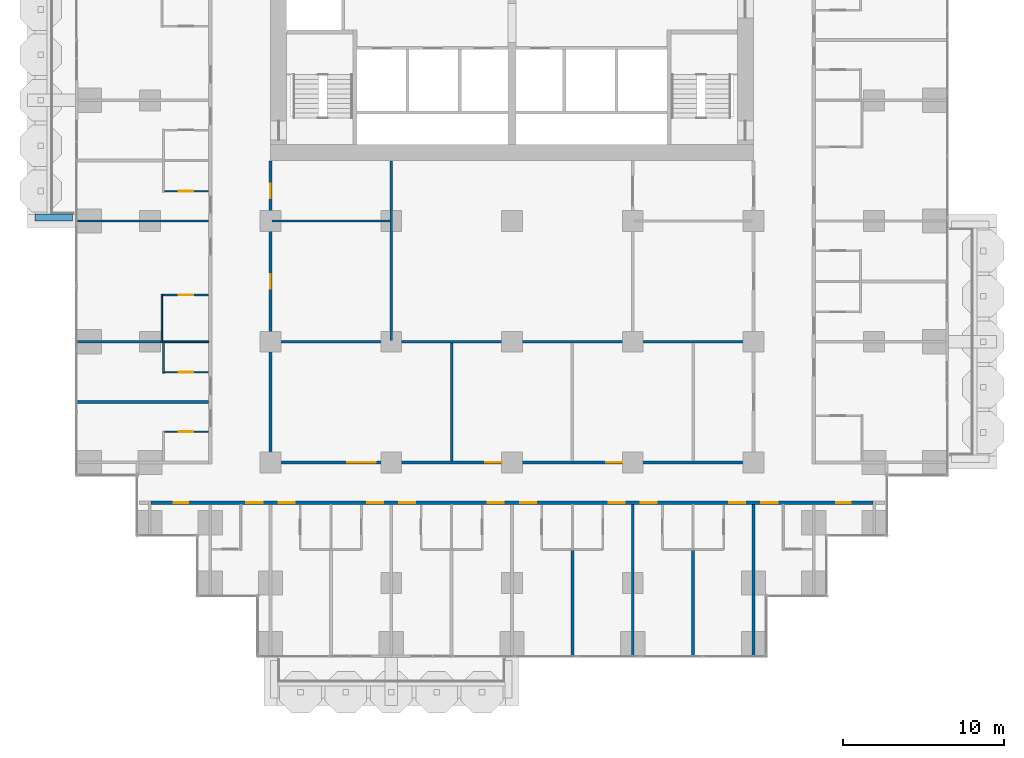
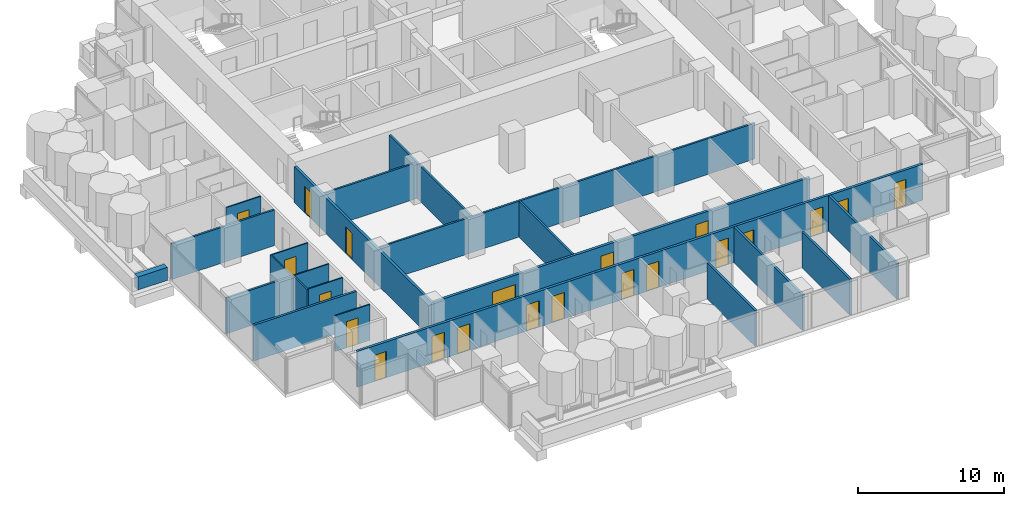
# One storey, part 11 of 19: 22 walls, 21 doors, 21 openings.
"""IFC4 building model written with IfcOpenShell, lengths in metres."""

from ifc_helpers import new_model, si_unit, direction, frame, frame_2d, origin, place, context, subcontext, project, spatial, rectangle, extrude, material, layer, layer_set, type_object, element, fill, save


model = new_model("IFC4")

# Units and contexts
model_context = context("Model", 3, precision=1e-05, world=origin(), true_north=direction((0.0, 1.0)))
body_context = subcontext(model_context, "Body", "Model", "MODEL_VIEW")
ifc_project = project(units=[si_unit("LENGTHUNIT", "METRE"), si_unit("AREAUNIT", "SQUARE_METRE"), si_unit("VOLUMEUNIT", "CUBIC_METRE"), si_unit("PLANEANGLEUNIT", "RADIAN"), si_unit("MASSUNIT", "GRAM", prefix="KILO")], contexts=[model_context])

# Site, building, storey
site_placement = place(None, origin())
site = spatial("IfcSite", under=ifc_project, at=site_placement, CompositionType="ELEMENT")
building_placement = place(site_placement, origin())
building = spatial("IfcBuilding", under=site, at=building_placement, Name="Pilkhan Gate Tower", CompositionType="ELEMENT")
storey_placement = place(building_placement, frame((0.0, 0.0, 69.199951171875)))
storey = spatial("IfcBuildingStorey", under=building, at=storey_placement, Name="L15", CompositionType="ELEMENT", Elevation=69.199951171875)

# Walls
ifc_material_1 = material(Name="Dense blockwork", Category="masonry")
ifc_layer_1 = layer(ifc_material_1, 0.175048828125)
ifc_layer_set_1 = layer_set([ifc_layer_1], Name="Acoustic party wall PW175")
wall_type_1 = type_object("IfcWallType", Name="Acoustic party wall PW175", PredefinedType="PARTITIONING", material=ifc_layer_set_1)
wall_1_placement = place(storey_placement, frame((47.985107421875, 56.25, 0.0), z_axis=(0.0, 0.0, 1.0), x_axis=(1.0, 0.0, 0.0)))
element("IfcWall", 1, at=wall_1_placement, inside=storey, type_object=wall_type_1, Name="Partition L15", PredefinedType="PARTITIONING", context=body_context, shape_type="SweptSolid", body=[
    extrude(rectangle(XDim=8.164794921875, YDim=0.175048828125, at=frame_2d((4.08251953125, 0.0))), origin(), (0.0, 0.0, 1.0), 3.0),
])
wall_2_placement = place(storey_placement, frame((78.75, 40.485107421875, 0.0), z_axis=(0.0, 0.0, 1.0), x_axis=(0.0, 1.0, 0.0)))
element("IfcWall", 2, at=wall_2_placement, inside=storey, type_object=wall_type_1, Name="Partition L15", PredefinedType="PARTITIONING", context=body_context, shape_type="SweptSolid", body=[
    extrude(rectangle(XDim=6.56494140625, YDim=0.175048828125, at=frame_2d((3.282470703125, 0.0))), origin(), (0.0, 0.0, 1.0), 3.0),
])
wall_3_placement = place(storey_placement, frame((82.5, 40.485107421875, 0.0), z_axis=(0.0, 0.0, 1.0), x_axis=(0.0, 1.0, 0.0)))
element("IfcWall", 3, at=wall_3_placement, inside=storey, type_object=wall_type_1, Name="Partition L15", PredefinedType="PARTITIONING", context=body_context, shape_type="SweptSolid", body=[
    extrude(rectangle(XDim=9.414794921875, YDim=0.175048828125, at=frame_2d((4.70751953125, 0.0))), origin(), (0.0, 0.0, 1.0), 3.0),
])
wall_4_placement = place(storey_placement, frame((86.25, 40.485107421875, 0.0), z_axis=(0.0, 0.0, 1.0), x_axis=(0.0, 1.0, 0.0)))
element("IfcWall", 4, at=wall_4_placement, inside=storey, type_object=wall_type_1, Name="Partition L15", PredefinedType="PARTITIONING", context=body_context, shape_type="SweptSolid", body=[
    extrude(rectangle(XDim=6.56494140625, YDim=0.175048828125, at=frame_2d((3.282470703125, 0.0))), origin(), (0.0, 0.0, 1.0), 3.0),
])
wall_5_placement = place(storey_placement, frame((90.0, 40.485107421875, 0.0), z_axis=(0.0, 0.0, 1.0), x_axis=(0.0, 1.0, 0.0)))
element("IfcWall", 5, at=wall_5_placement, inside=storey, type_object=wall_type_1, Name="Partition L15", PredefinedType="PARTITIONING", context=body_context, shape_type="SweptSolid", body=[
    extrude(rectangle(XDim=9.414794921875, YDim=0.175048828125, at=frame_2d((4.70751953125, 0.0))), origin(), (0.0, 0.0, 1.0), 3.0),
])
ifc_material_2 = material(Name="Board-marked Concrete C40/50", Category="concrete")
ifc_layer_2 = layer(ifc_material_2, 0.449951171875)
ifc_layer_set_2 = layer_set([ifc_layer_2], Name="Balcony planter lip BL450")
wall_type_2 = type_object("IfcWallType", Name="Balcony planter lip BL450", PredefinedType="USERDEFINED", material=ifc_layer_set_2)
wall_6_placement = place(storey_placement, frame((47.699951171875, 67.72509765625, 0.0), z_axis=(0.0, 0.0, 1.0), x_axis=(-1.0, 0.0, 0.0)))
element("IfcWall", 6, at=wall_6_placement, inside=storey, type_object=wall_type_2, Name="Balcony planter L15 W", ObjectType="BALCONY PLANTER", PredefinedType="USERDEFINED", context=body_context, shape_type="SweptSolid", body=[
    extrude(rectangle(XDim=2.349853515625, YDim=0.449951171875, at=frame_2d((1.1748046875, 0.0))), origin(), (0.0, 0.0, 1.0), 1.10009765625),
])

# Wall, openings, doors
ifc_layer_3 = layer(ifc_material_1, 0.199951171875)
ifc_layer_set_3 = layer_set([ifc_layer_3], Name="Corridor wall FW200")
wall_type_3 = type_object("IfcWallType", Name="Corridor wall FW200", PredefinedType="PARTITIONING", material=ifc_layer_set_3)
wall_7_placement = place(storey_placement, frame((52.574951171875, 50.0, 0.0), z_axis=(0.0, 0.0, 1.0), x_axis=(1.0, 0.0, 0.0)))
wall_7 = element("IfcWall", 7, at=wall_7_placement, inside=storey, type_object=wall_type_3, Name="Partition L15", PredefinedType="PARTITIONING", context=body_context, shape_type="SweptSolid", body=[
    extrude(rectangle(XDim=44.85009765625, YDim=0.199951171875, at=frame_2d((22.425048828125, 0.0))), origin(), (0.0, 0.0, 1.0), 3.0),
])
opening_1_placement = place(wall_7_placement, frame((5.925048828125, 0.0, 0.0)))
opening_1 = element("IfcOpeningElement", 8, at=opening_1_placement, cuts=wall_7, Name="Opening L15-06", PredefinedType="OPENING", context=body_context, shape_type="SweptSolid", body=[
    extrude(rectangle(XDim=1.0, YDim=2.199951171875, at=frame_2d((0.5, 1.10009765625))), frame((0.0, 0.10986328125, 0.0), z_axis=(0.0, -1.0, 0.0), x_axis=(1.0, 0.0, 0.0)), (0.0, 0.0, 1.0), 0.219970703125),
])
opening_2_placement = place(wall_7_placement, frame((7.925048828125, 0.0, 0.0)))
opening_2 = element("IfcOpeningElement", 9, at=opening_2_placement, cuts=wall_7, Name="Opening L15-08", PredefinedType="OPENING", context=body_context, shape_type="SweptSolid", body=[
    extrude(rectangle(XDim=1.0, YDim=2.199951171875, at=frame_2d((0.5, 1.10009765625))), frame((0.0, 0.10986328125, 0.0), z_axis=(0.0, -1.0, 0.0), x_axis=(1.0, 0.0, 0.0)), (0.0, 0.0, 1.0), 0.219970703125),
])
opening_3_placement = place(wall_7_placement, frame((13.425048828125, 0.0, 0.0)))
opening_3 = element("IfcOpeningElement", 10, at=opening_3_placement, cuts=wall_7, Name="Opening L15-10", PredefinedType="OPENING", context=body_context, shape_type="SweptSolid", body=[
    extrude(rectangle(XDim=1.0, YDim=2.199951171875, at=frame_2d((0.5, 1.10009765625))), frame((0.0, 0.10986328125, 0.0), z_axis=(0.0, -1.0, 0.0), x_axis=(1.0, 0.0, 0.0)), (0.0, 0.0, 1.0), 0.219970703125),
])
opening_4_placement = place(wall_7_placement, frame((15.425048828125, 0.0, 0.0)))
opening_4 = element("IfcOpeningElement", 11, at=opening_4_placement, cuts=wall_7, Name="Opening L15-12", PredefinedType="OPENING", context=body_context, shape_type="SweptSolid", body=[
    extrude(rectangle(XDim=1.0, YDim=2.199951171875, at=frame_2d((0.5, 1.10009765625))), frame((0.0, 0.10986328125, 0.0), z_axis=(0.0, -1.0, 0.0), x_axis=(1.0, 0.0, 0.0)), (0.0, 0.0, 1.0), 0.219970703125),
])
opening_5_placement = place(wall_7_placement, frame((20.925048828125, 0.0, 0.0)))
opening_5 = element("IfcOpeningElement", 12, at=opening_5_placement, cuts=wall_7, Name="Opening L15-14", PredefinedType="OPENING", context=body_context, shape_type="SweptSolid", body=[
    extrude(rectangle(XDim=1.0, YDim=2.199951171875, at=frame_2d((0.5, 1.10009765625))), frame((0.0, 0.10986328125, 0.0), z_axis=(0.0, -1.0, 0.0), x_axis=(1.0, 0.0, 0.0)), (0.0, 0.0, 1.0), 0.219970703125),
])
opening_6_placement = place(wall_7_placement, frame((22.925048828125, 0.0, 0.0)))
opening_6 = element("IfcOpeningElement", 13, at=opening_6_placement, cuts=wall_7, Name="Opening L15-16", PredefinedType="OPENING", context=body_context, shape_type="SweptSolid", body=[
    extrude(rectangle(XDim=1.0, YDim=2.199951171875, at=frame_2d((0.5, 1.10009765625))), frame((0.0, 0.10986328125, 0.0), z_axis=(0.0, -1.0, 0.0), x_axis=(1.0, 0.0, 0.0)), (0.0, 0.0, 1.0), 0.219970703125),
])
opening_7_placement = place(wall_7_placement, frame((28.425048828125, 0.0, 0.0)))
opening_7 = element("IfcOpeningElement", 14, at=opening_7_placement, cuts=wall_7, Name="Opening L15-18", PredefinedType="OPENING", context=body_context, shape_type="SweptSolid", body=[
    extrude(rectangle(XDim=1.0, YDim=2.199951171875, at=frame_2d((0.5, 1.10009765625))), frame((0.0, 0.10986328125, 0.0), z_axis=(0.0, -1.0, 0.0), x_axis=(1.0, 0.0, 0.0)), (0.0, 0.0, 1.0), 0.219970703125),
])
opening_8_placement = place(wall_7_placement, frame((30.425048828125, 0.0, 0.0)))
opening_8 = element("IfcOpeningElement", 15, at=opening_8_placement, cuts=wall_7, Name="Opening L15-20", PredefinedType="OPENING", context=body_context, shape_type="SweptSolid", body=[
    extrude(rectangle(XDim=1.0, YDim=2.199951171875, at=frame_2d((0.5, 1.10009765625))), frame((0.0, 0.10986328125, 0.0), z_axis=(0.0, -1.0, 0.0), x_axis=(1.0, 0.0, 0.0)), (0.0, 0.0, 1.0), 0.219970703125),
])
opening_9_placement = place(wall_7_placement, frame((35.925048828125, 0.0, 0.0)))
opening_9 = element("IfcOpeningElement", 16, at=opening_9_placement, cuts=wall_7, Name="Opening L15-22", PredefinedType="OPENING", context=body_context, shape_type="SweptSolid", body=[
    extrude(rectangle(XDim=1.0, YDim=2.199951171875, at=frame_2d((0.5, 1.10009765625))), frame((0.0, 0.10986328125, 0.0), z_axis=(0.0, -1.0, 0.0), x_axis=(1.0, 0.0, 0.0)), (0.0, 0.0, 1.0), 0.219970703125),
])
opening_10_placement = place(wall_7_placement, frame((37.925048828125, 0.0, 0.0)))
opening_10 = element("IfcOpeningElement", 17, at=opening_10_placement, cuts=wall_7, Name="Opening L15-24", PredefinedType="OPENING", context=body_context, shape_type="SweptSolid", body=[
    extrude(rectangle(XDim=1.0, YDim=2.199951171875, at=frame_2d((0.5, 1.10009765625))), frame((0.0, 0.10986328125, 0.0), z_axis=(0.0, -1.0, 0.0), x_axis=(1.0, 0.0, 0.0)), (0.0, 0.0, 1.0), 0.219970703125),
])
opening_11_placement = place(wall_7_placement, frame((1.39990234375, 0.0, 0.0)))
opening_11 = element("IfcOpeningElement", 18, at=opening_11_placement, cuts=wall_7, Name="Opening L15-56", PredefinedType="OPENING", context=body_context, shape_type="SweptSolid", body=[
    extrude(rectangle(XDim=0.89990234375, YDim=2.199951171875, at=frame_2d((0.449951171875, 1.10009765625))), frame((0.0, 0.10986328125, 0.0), z_axis=(0.0, -1.0, 0.0), x_axis=(1.0, 0.0, 0.0)), (0.0, 0.0, 1.0), 0.219970703125),
])
opening_12_placement = place(wall_7_placement, frame((42.574951171875, 0.0, 0.0)))
opening_12 = element("IfcOpeningElement", 19, at=opening_12_placement, cuts=wall_7, Name="Opening L15-57", PredefinedType="OPENING", context=body_context, shape_type="SweptSolid", body=[
    extrude(rectangle(XDim=0.89990234375, YDim=2.199951171875, at=frame_2d((0.449951171875, 1.10009765625))), frame((0.0, 0.10986328125, 0.0), z_axis=(0.0, -1.0, 0.0), x_axis=(1.0, 0.0, 0.0)), (0.0, 0.0, 1.0), 0.219970703125),
])
ifc_material_3 = material(Name="Timber flush door, 30 minute fire resisting", Category="wood")
door_type_1 = type_object("IfcDoorType", Name="Guest room door D01 1000x2200", OperationType="SINGLE_SWING_LEFT", PredefinedType="DOOR", material=ifc_material_3)
door_1_placement = place(opening_1_placement, origin())
door_1 = element("IfcDoor", 20, at=door_1_placement, inside=storey, type_object=door_type_1, Name="Guest room door", OperationType="SINGLE_SWING_LEFT", OverallHeight=2.199951171875, OverallWidth=1.0, PredefinedType="DOOR", context=body_context, shape_type="SweptSolid", body=[
    extrude(rectangle(XDim=1.0, YDim=2.199951171875, at=frame_2d((0.5, 1.10009765625))), frame((0.0, 0.02490234375, 0.0), z_axis=(0.0, -1.0, 0.0), x_axis=(1.0, 0.0, 0.0)), (0.0, 0.0, 1.0), 0.050048828125),
])
fill(opening_1, door_1)
door_2_placement = place(opening_2_placement, origin())
door_2 = element("IfcDoor", 21, at=door_2_placement, inside=storey, type_object=door_type_1, Name="Guest room door", OperationType="SINGLE_SWING_RIGHT", OverallHeight=2.199951171875, OverallWidth=1.0, PredefinedType="DOOR", context=body_context, shape_type="SweptSolid", body=[
    extrude(rectangle(XDim=1.0, YDim=2.199951171875, at=frame_2d((0.5, 1.10009765625))), frame((0.0, 0.02490234375, 0.0), z_axis=(0.0, -1.0, 0.0), x_axis=(1.0, 0.0, 0.0)), (0.0, 0.0, 1.0), 0.050048828125),
])
fill(opening_2, door_2)
door_3_placement = place(opening_3_placement, origin())
door_3 = element("IfcDoor", 22, at=door_3_placement, inside=storey, type_object=door_type_1, Name="Guest room door", OperationType="SINGLE_SWING_LEFT", OverallHeight=2.199951171875, OverallWidth=1.0, PredefinedType="DOOR", context=body_context, shape_type="SweptSolid", body=[
    extrude(rectangle(XDim=1.0, YDim=2.199951171875, at=frame_2d((0.5, 1.10009765625))), frame((0.0, 0.02490234375, 0.0), z_axis=(0.0, -1.0, 0.0), x_axis=(1.0, 0.0, 0.0)), (0.0, 0.0, 1.0), 0.050048828125),
])
fill(opening_3, door_3)
door_4_placement = place(opening_4_placement, origin())
door_4 = element("IfcDoor", 23, at=door_4_placement, inside=storey, type_object=door_type_1, Name="Guest room door", OperationType="SINGLE_SWING_LEFT", OverallHeight=2.199951171875, OverallWidth=1.0, PredefinedType="DOOR", context=body_context, shape_type="SweptSolid", body=[
    extrude(rectangle(XDim=1.0, YDim=2.199951171875, at=frame_2d((0.5, 1.10009765625))), frame((0.0, 0.02490234375, 0.0), z_axis=(0.0, -1.0, 0.0), x_axis=(1.0, 0.0, 0.0)), (0.0, 0.0, 1.0), 0.050048828125),
])
fill(opening_4, door_4)
door_5_placement = place(opening_5_placement, origin())
door_5 = element("IfcDoor", 24, at=door_5_placement, inside=storey, type_object=door_type_1, Name="Guest room door", OperationType="SINGLE_SWING_LEFT", OverallHeight=2.199951171875, OverallWidth=1.0, PredefinedType="DOOR", context=body_context, shape_type="SweptSolid", body=[
    extrude(rectangle(XDim=1.0, YDim=2.199951171875, at=frame_2d((0.5, 1.10009765625))), frame((0.0, 0.02490234375, 0.0), z_axis=(0.0, -1.0, 0.0), x_axis=(1.0, 0.0, 0.0)), (0.0, 0.0, 1.0), 0.050048828125),
])
fill(opening_5, door_5)
door_6_placement = place(opening_6_placement, origin())
door_6 = element("IfcDoor", 25, at=door_6_placement, inside=storey, type_object=door_type_1, Name="Guest room door", OperationType="SINGLE_SWING_RIGHT", OverallHeight=2.199951171875, OverallWidth=1.0, PredefinedType="DOOR", context=body_context, shape_type="SweptSolid", body=[
    extrude(rectangle(XDim=1.0, YDim=2.199951171875, at=frame_2d((0.5, 1.10009765625))), frame((0.0, 0.02490234375, 0.0), z_axis=(0.0, -1.0, 0.0), x_axis=(1.0, 0.0, 0.0)), (0.0, 0.0, 1.0), 0.050048828125),
])
fill(opening_6, door_6)
door_7_placement = place(opening_7_placement, origin())
door_7 = element("IfcDoor", 26, at=door_7_placement, inside=storey, type_object=door_type_1, Name="Guest room door", OperationType="SINGLE_SWING_RIGHT", OverallHeight=2.199951171875, OverallWidth=1.0, PredefinedType="DOOR", context=body_context, shape_type="SweptSolid", body=[
    extrude(rectangle(XDim=1.0, YDim=2.199951171875, at=frame_2d((0.5, 1.10009765625))), frame((0.0, 0.02490234375, 0.0), z_axis=(0.0, -1.0, 0.0), x_axis=(1.0, 0.0, 0.0)), (0.0, 0.0, 1.0), 0.050048828125),
])
fill(opening_7, door_7)
door_8_placement = place(opening_8_placement, origin())
door_8 = element("IfcDoor", 27, at=door_8_placement, inside=storey, type_object=door_type_1, Name="Guest room door", OperationType="SINGLE_SWING_RIGHT", OverallHeight=2.199951171875, OverallWidth=1.0, PredefinedType="DOOR", context=body_context, shape_type="SweptSolid", body=[
    extrude(rectangle(XDim=1.0, YDim=2.199951171875, at=frame_2d((0.5, 1.10009765625))), frame((0.0, 0.02490234375, 0.0), z_axis=(0.0, -1.0, 0.0), x_axis=(1.0, 0.0, 0.0)), (0.0, 0.0, 1.0), 0.050048828125),
])
fill(opening_8, door_8)
door_9_placement = place(opening_9_placement, origin())
door_9 = element("IfcDoor", 28, at=door_9_placement, inside=storey, type_object=door_type_1, Name="Guest room door", OperationType="SINGLE_SWING_LEFT", OverallHeight=2.199951171875, OverallWidth=1.0, PredefinedType="DOOR", context=body_context, shape_type="SweptSolid", body=[
    extrude(rectangle(XDim=1.0, YDim=2.199951171875, at=frame_2d((0.5, 1.10009765625))), frame((0.0, 0.02490234375, 0.0), z_axis=(0.0, -1.0, 0.0), x_axis=(1.0, 0.0, 0.0)), (0.0, 0.0, 1.0), 0.050048828125),
])
fill(opening_9, door_9)
door_10_placement = place(opening_10_placement, origin())
door_10 = element("IfcDoor", 29, at=door_10_placement, inside=storey, type_object=door_type_1, Name="Guest room door", OperationType="SINGLE_SWING_LEFT", OverallHeight=2.199951171875, OverallWidth=1.0, PredefinedType="DOOR", context=body_context, shape_type="SweptSolid", body=[
    extrude(rectangle(XDim=1.0, YDim=2.199951171875, at=frame_2d((0.5, 1.10009765625))), frame((0.0, 0.02490234375, 0.0), z_axis=(0.0, -1.0, 0.0), x_axis=(1.0, 0.0, 0.0)), (0.0, 0.0, 1.0), 0.050048828125),
])
fill(opening_10, door_10)
ifc_material_4 = material(Name="Timber flush door, 60 minute fire resisting, self-closing", Category="wood")
door_type_2 = type_object("IfcDoorType", Name="Store door D05 900x2200", OperationType="SINGLE_SWING_LEFT", PredefinedType="DOOR", material=ifc_material_4)
door_11_placement = place(opening_11_placement, origin())
door_11 = element("IfcDoor", 30, at=door_11_placement, inside=storey, type_object=door_type_2, Name="Store door", OperationType="SINGLE_SWING_LEFT", OverallHeight=2.199951171875, OverallWidth=0.89990234375, PredefinedType="DOOR", context=body_context, shape_type="SweptSolid", body=[
    extrude(rectangle(XDim=0.89990234375, YDim=2.199951171875, at=frame_2d((0.449951171875, 1.10009765625))), frame((0.0, 0.02490234375, 0.0), z_axis=(0.0, -1.0, 0.0), x_axis=(1.0, 0.0, 0.0)), (0.0, 0.0, 1.0), 0.050048828125),
])
fill(opening_11, door_11)
door_12_placement = place(opening_12_placement, origin())
door_12 = element("IfcDoor", 31, at=door_12_placement, inside=storey, type_object=door_type_2, Name="Store door", OperationType="SINGLE_SWING_LEFT", OverallHeight=2.199951171875, OverallWidth=0.89990234375, PredefinedType="DOOR", context=body_context, shape_type="SweptSolid", body=[
    extrude(rectangle(XDim=0.89990234375, YDim=2.199951171875, at=frame_2d((0.449951171875, 1.10009765625))), frame((0.0, 0.02490234375, 0.0), z_axis=(0.0, -1.0, 0.0), x_axis=(1.0, 0.0, 0.0)), (0.0, 0.0, 1.0), 0.050048828125),
])
fill(opening_12, door_12)

wall_8_placement = place(storey_placement, frame((60.10009765625, 52.5, 0.0), z_axis=(0.0, 0.0, 1.0), x_axis=(1.0, 0.0, 0.0)))
wall_8 = element("IfcWall", 32, at=wall_8_placement, inside=storey, type_object=wall_type_3, Name="Partition L15", PredefinedType="PARTITIONING", context=body_context, shape_type="SweptSolid", body=[
    extrude(rectangle(XDim=29.7998046875, YDim=0.199951171875, at=frame_2d((14.89990234375, 0.0))), origin(), (0.0, 0.0, 1.0), 3.0),
])
opening_13_placement = place(wall_8_placement, frame((4.64990234375, 0.0, 0.0)))
opening_13 = element("IfcOpeningElement", 33, at=opening_13_placement, cuts=wall_8, Name="Opening L15-62", PredefinedType="OPENING", context=body_context, shape_type="SweptSolid", body=[
    extrude(rectangle(XDim=1.800048828125, YDim=2.199951171875, at=frame_2d((0.89990234375, 1.10009765625))), frame((0.0, 0.10986328125, 0.0), z_axis=(0.0, -1.0, 0.0), x_axis=(1.0, 0.0, 0.0)), (0.0, 0.0, 1.0), 0.219970703125),
])
opening_14_placement = place(wall_8_placement, frame((13.25, 0.0, 0.0)))
opening_14 = element("IfcOpeningElement", 34, at=opening_14_placement, cuts=wall_8, Name="Opening L15-63", PredefinedType="OPENING", context=body_context, shape_type="SweptSolid", body=[
    extrude(rectangle(XDim=1.0, YDim=2.199951171875, at=frame_2d((0.5, 1.10009765625))), frame((0.0, 0.10986328125, 0.0), z_axis=(0.0, -1.0, 0.0), x_axis=(1.0, 0.0, 0.0)), (0.0, 0.0, 1.0), 0.219970703125),
])
opening_15_placement = place(wall_8_placement, frame((20.75, 0.0, 0.0)))
opening_15 = element("IfcOpeningElement", 35, at=opening_15_placement, cuts=wall_8, Name="Opening L15-64", PredefinedType="OPENING", context=body_context, shape_type="SweptSolid", body=[
    extrude(rectangle(XDim=1.0, YDim=2.199951171875, at=frame_2d((0.5, 1.10009765625))), frame((0.0, 0.10986328125, 0.0), z_axis=(0.0, -1.0, 0.0), x_axis=(1.0, 0.0, 0.0)), (0.0, 0.0, 1.0), 0.219970703125),
])
ifc_material_5 = material(Name="Timber glazed double door, 30 minute fire resisting", Category="wood")
door_type_3 = type_object("IfcDoorType", Name="Double door D04 1800x2200", OperationType="DOUBLE_DOOR_SINGLE_SWING", PredefinedType="DOOR", material=ifc_material_5)
door_13_placement = place(opening_13_placement, origin())
door_13 = element("IfcDoor", 36, at=door_13_placement, inside=storey, type_object=door_type_3, Name="Double door", OperationType="DOUBLE_DOOR_SINGLE_SWING", OverallHeight=2.199951171875, OverallWidth=1.800048828125, PredefinedType="DOOR", context=body_context, shape_type="SweptSolid", body=[
    extrude(rectangle(XDim=1.800048828125, YDim=2.199951171875, at=frame_2d((0.89990234375, 1.10009765625))), frame((0.0, 0.02490234375, 0.0), z_axis=(0.0, -1.0, 0.0), x_axis=(1.0, 0.0, 0.0)), (0.0, 0.0, 1.0), 0.050048828125),
])
fill(opening_13, door_13)
door_type_4 = type_object("IfcDoorType", Name="Room door D03 1000x2200", OperationType="SINGLE_SWING_LEFT", PredefinedType="DOOR", material=ifc_material_3)
door_14_placement = place(opening_14_placement, origin())
door_14 = element("IfcDoor", 37, at=door_14_placement, inside=storey, type_object=door_type_4, Name="Room door", OperationType="SINGLE_SWING_LEFT", OverallHeight=2.199951171875, OverallWidth=1.0, PredefinedType="DOOR", context=body_context, shape_type="SweptSolid", body=[
    extrude(rectangle(XDim=1.0, YDim=2.199951171875, at=frame_2d((0.5, 1.10009765625))), frame((0.0, 0.02490234375, 0.0), z_axis=(0.0, -1.0, 0.0), x_axis=(1.0, 0.0, 0.0)), (0.0, 0.0, 1.0), 0.050048828125),
])
fill(opening_14, door_14)
door_15_placement = place(opening_15_placement, origin())
door_15 = element("IfcDoor", 38, at=door_15_placement, inside=storey, type_object=door_type_4, Name="Room door", OperationType="SINGLE_SWING_LEFT", OverallHeight=2.199951171875, OverallWidth=1.0, PredefinedType="DOOR", context=body_context, shape_type="SweptSolid", body=[
    extrude(rectangle(XDim=1.0, YDim=2.199951171875, at=frame_2d((0.5, 1.10009765625))), frame((0.0, 0.02490234375, 0.0), z_axis=(0.0, -1.0, 0.0), x_axis=(1.0, 0.0, 0.0)), (0.0, 0.0, 1.0), 0.050048828125),
])
fill(opening_15, door_15)

wall_9_placement = place(storey_placement, frame((60.0, 52.39990234375, 0.0), z_axis=(0.0, 0.0, 1.0), x_axis=(0.0, 1.0, 0.0)))
wall_9 = element("IfcWall", 39, at=wall_9_placement, inside=storey, type_object=wall_type_3, Name="Partition L15", PredefinedType="PARTITIONING", context=body_context, shape_type="SweptSolid", body=[
    extrude(rectangle(XDim=18.840087890625, YDim=0.199951171875, at=frame_2d((9.419921875, 0.0))), origin(), (0.0, 0.0, 1.0), 3.0),
])
opening_16_placement = place(wall_9_placement, frame((10.89990234375, 0.0, 0.0)))
opening_16 = element("IfcOpeningElement", 40, at=opening_16_placement, cuts=wall_9, Name="Opening L15-66", PredefinedType="OPENING", context=body_context, shape_type="SweptSolid", body=[
    extrude(rectangle(XDim=0.89990234375, YDim=2.199951171875, at=frame_2d((0.449951171875, 1.10009765625))), frame((0.0, 0.10986328125, 0.0), z_axis=(0.0, -1.0, 0.0), x_axis=(1.0, 0.0, 0.0)), (0.0, 0.0, 1.0), 0.219970703125),
])
opening_17_placement = place(wall_9_placement, frame((16.5, 0.0, 0.0)))
opening_17 = element("IfcOpeningElement", 41, at=opening_17_placement, cuts=wall_9, Name="Opening L15-67", PredefinedType="OPENING", context=body_context, shape_type="SweptSolid", body=[
    extrude(rectangle(XDim=0.89990234375, YDim=2.199951171875, at=frame_2d((0.449951171875, 1.10009765625))), frame((0.0, 0.10986328125, 0.0), z_axis=(0.0, -1.0, 0.0), x_axis=(1.0, 0.0, 0.0)), (0.0, 0.0, 1.0), 0.219970703125),
])
door_16_placement = place(opening_16_placement, origin())
door_16 = element("IfcDoor", 42, at=door_16_placement, inside=storey, type_object=door_type_2, Name="Store door", OperationType="SINGLE_SWING_LEFT", OverallHeight=2.199951171875, OverallWidth=0.89990234375, PredefinedType="DOOR", context=body_context, shape_type="SweptSolid", body=[
    extrude(rectangle(XDim=0.89990234375, YDim=2.199951171875, at=frame_2d((0.449951171875, 1.10009765625))), frame((0.0, 0.02490234375, 0.0), z_axis=(0.0, -1.0, 0.0), x_axis=(1.0, 0.0, 0.0)), (0.0, 0.0, 1.0), 0.050048828125),
])
fill(opening_16, door_16)
door_17_placement = place(opening_17_placement, origin())
door_17 = element("IfcDoor", 43, at=door_17_placement, inside=storey, type_object=door_type_2, Name="Store door", OperationType="SINGLE_SWING_RIGHT", OverallHeight=2.199951171875, OverallWidth=0.89990234375, PredefinedType="DOOR", context=body_context, shape_type="SweptSolid", body=[
    extrude(rectangle(XDim=0.89990234375, YDim=2.199951171875, at=frame_2d((0.449951171875, 1.10009765625))), frame((0.0, 0.02490234375, 0.0), z_axis=(0.0, -1.0, 0.0), x_axis=(1.0, 0.0, 0.0)), (0.0, 0.0, 1.0), 0.050048828125),
])
fill(opening_17, door_17)

# Walls
ifc_material_6 = material(Name="Blockwork partition, plastered both sides", Category="masonry")
ifc_layer_4 = layer(ifc_material_6, 0.14990234375)
ifc_layer_set_4 = layer_set([ifc_layer_4], Name="Partition PW150")
wall_type_4 = type_object("IfcWallType", Name="Partition PW150", PredefinedType="PARTITIONING", material=ifc_layer_set_4)
wall_10_placement = place(storey_placement, frame((47.985107421875, 60.0, 0.0), z_axis=(0.0, 0.0, 1.0), x_axis=(1.0, 0.0, 0.0)))
element("IfcWall", 44, at=wall_10_placement, inside=storey, type_object=wall_type_4, Name="Partition L15", PredefinedType="PARTITIONING", context=body_context, shape_type="SweptSolid", body=[
    extrude(rectangle(XDim=5.21484375, YDim=0.14990234375, at=frame_2d((2.607421875, 0.0))), origin(), (0.0, 0.0, 1.0), 3.0),
])
wall_11_placement = place(storey_placement, frame((60.10009765625, 60.0, 0.0), z_axis=(0.0, 0.0, 1.0), x_axis=(1.0, 0.0, 0.0)))
element("IfcWall", 45, at=wall_11_placement, inside=storey, type_object=wall_type_4, Name="Partition L15", PredefinedType="PARTITIONING", context=body_context, shape_type="SweptSolid", body=[
    extrude(rectangle(XDim=29.7998046875, YDim=0.14990234375, at=frame_2d((14.89990234375, 0.0))), origin(), (0.0, 0.0, 1.0), 3.0),
])
wall_12_placement = place(storey_placement, frame((47.985107421875, 67.5, 0.0), z_axis=(0.0, 0.0, 1.0), x_axis=(1.0, 0.0, 0.0)))
element("IfcWall", 46, at=wall_12_placement, inside=storey, type_object=wall_type_4, Name="Partition L15", PredefinedType="PARTITIONING", context=body_context, shape_type="SweptSolid", body=[
    extrude(rectangle(XDim=8.164794921875, YDim=0.14990234375, at=frame_2d((4.08251953125, 0.0))), origin(), (0.0, 0.0, 1.0), 3.0),
])
wall_13_placement = place(storey_placement, frame((60.10009765625, 67.5, 0.0), z_axis=(0.0, 0.0, 1.0), x_axis=(1.0, 0.0, 0.0)))
element("IfcWall", 47, at=wall_13_placement, inside=storey, type_object=wall_type_4, Name="Partition L15", PredefinedType="PARTITIONING", context=body_context, shape_type="SweptSolid", body=[
    extrude(rectangle(XDim=7.324951171875, YDim=0.14990234375, at=frame_2d((3.66259765625, 0.0))), origin(), (0.0, 0.0, 1.0), 3.0),
])
wall_14_placement = place(storey_placement, frame((67.5, 60.074951171875, 0.0), z_axis=(0.0, 0.0, 1.0), x_axis=(0.0, 1.0, 0.0)))
element("IfcWall", 48, at=wall_14_placement, inside=storey, type_object=wall_type_4, Name="Partition L15", PredefinedType="PARTITIONING", context=body_context, shape_type="SweptSolid", body=[
    extrude(rectangle(XDim=11.1650390625, YDim=0.14990234375, at=frame_2d((5.58251953125, 0.0))), origin(), (0.0, 0.0, 1.0), 3.0),
])
wall_15_placement = place(storey_placement, frame((71.25, 52.60009765625, 0.0), z_axis=(0.0, 0.0, 1.0), x_axis=(0.0, 1.0, 0.0)))
element("IfcWall", 49, at=wall_15_placement, inside=storey, type_object=wall_type_4, Name="Partition L15", PredefinedType="PARTITIONING", context=body_context, shape_type="SweptSolid", body=[
    extrude(rectangle(XDim=7.324951171875, YDim=0.14990234375, at=frame_2d((3.66259765625, 0.0))), origin(), (0.0, 0.0, 1.0), 3.0),
])

# Wall, opening, door
ifc_material_7 = material(Name="Moisture resistant board, tiled")
ifc_layer_5 = layer(ifc_material_7, 0.10009765625)
ifc_layer_set_5 = layer_set([ifc_layer_5], Name="Wet wall PW100")
wall_type_5 = type_object("IfcWallType", Name="Wet wall PW100", PredefinedType="PARTITIONING", material=ifc_layer_set_5)
wall_16_placement = place(storey_placement, frame((53.39990234375, 54.39990234375, 0.0), z_axis=(0.0, 0.0, 1.0), x_axis=(1.0, 0.0, 0.0)))
wall_16 = element("IfcWall", 50, at=wall_16_placement, inside=storey, type_object=wall_type_5, Name="Partition L15", PredefinedType="PARTITIONING", context=body_context, shape_type="SweptSolid", body=[
    extrude(rectangle(XDim=2.75, YDim=0.10009765625, at=frame_2d((1.375, 0.0))), origin(), (0.0, 0.0, 1.0), 3.0),
])
opening_18_placement = place(wall_16_placement, frame((0.89990234375, 0.0, 0.0)))
opening_18 = element("IfcOpeningElement", 51, at=opening_18_placement, cuts=wall_16, Name="Opening L15-27", PredefinedType="OPENING", context=body_context, shape_type="SweptSolid", body=[
    extrude(rectangle(XDim=0.89990234375, YDim=2.199951171875, at=frame_2d((0.449951171875, 1.10009765625))), frame((0.0, 0.06005859375, 0.0), z_axis=(0.0, -1.0, 0.0), x_axis=(1.0, 0.0, 0.0)), (0.0, 0.0, 1.0), 0.1201171875),
])
ifc_material_8 = material(Name="Timber flush door", Category="wood")
door_type_5 = type_object("IfcDoorType", Name="Bathroom door D02 900x2200", OperationType="SINGLE_SWING_RIGHT", PredefinedType="DOOR", material=ifc_material_8)
door_18_placement = place(opening_18_placement, origin())
door_18 = element("IfcDoor", 52, at=door_18_placement, inside=storey, type_object=door_type_5, Name="Bathroom door", OperationType="SINGLE_SWING_RIGHT", OverallHeight=2.199951171875, OverallWidth=0.89990234375, PredefinedType="DOOR", context=body_context, shape_type="SweptSolid", body=[
    extrude(rectangle(XDim=0.89990234375, YDim=2.199951171875, at=frame_2d((0.449951171875, 1.10009765625))), frame((0.0, 0.02490234375, 0.0), z_axis=(0.0, -1.0, 0.0), x_axis=(1.0, 0.0, 0.0)), (0.0, 0.0, 1.0), 0.050048828125),
])
fill(opening_18, door_18)

wall_17_placement = place(storey_placement, frame((53.39990234375, 58.10009765625, 0.0), z_axis=(0.0, 0.0, 1.0), x_axis=(1.0, 0.0, 0.0)))
wall_17 = element("IfcWall", 53, at=wall_17_placement, inside=storey, type_object=wall_type_5, Name="Partition L15", PredefinedType="PARTITIONING", context=body_context, shape_type="SweptSolid", body=[
    extrude(rectangle(XDim=2.75, YDim=0.10009765625, at=frame_2d((1.375, 0.0))), origin(), (0.0, 0.0, 1.0), 3.0),
])
opening_19_placement = place(wall_17_placement, frame((0.89990234375, 0.0, 0.0)))
opening_19 = element("IfcOpeningElement", 54, at=opening_19_placement, cuts=wall_17, Name="Opening L15-29", PredefinedType="OPENING", context=body_context, shape_type="SweptSolid", body=[
    extrude(rectangle(XDim=0.89990234375, YDim=2.199951171875, at=frame_2d((0.449951171875, 1.10009765625))), frame((0.0, 0.06005859375, 0.0), z_axis=(0.0, -1.0, 0.0), x_axis=(1.0, 0.0, 0.0)), (0.0, 0.0, 1.0), 0.1201171875),
])
door_19_placement = place(opening_19_placement, origin())
door_19 = element("IfcDoor", 55, at=door_19_placement, inside=storey, type_object=door_type_5, Name="Bathroom door", OperationType="SINGLE_SWING_RIGHT", OverallHeight=2.199951171875, OverallWidth=0.89990234375, PredefinedType="DOOR", context=body_context, shape_type="SweptSolid", body=[
    extrude(rectangle(XDim=0.89990234375, YDim=2.199951171875, at=frame_2d((0.449951171875, 1.10009765625))), frame((0.0, 0.02490234375, 0.0), z_axis=(0.0, -1.0, 0.0), x_axis=(1.0, 0.0, 0.0)), (0.0, 0.0, 1.0), 0.050048828125),
])
fill(opening_19, door_19)

# Wall
wall_18_placement = place(storey_placement, frame((53.39990234375, 60.0, 0.0), z_axis=(0.0, 0.0, 1.0), x_axis=(1.0, 0.0, 0.0)))
element("IfcWall", 56, at=wall_18_placement, inside=storey, type_object=wall_type_5, Name="Partition L15", PredefinedType="PARTITIONING", context=body_context, shape_type="SweptSolid", body=[
    extrude(rectangle(XDim=2.75, YDim=0.10009765625, at=frame_2d((1.375, 0.0))), origin(), (0.0, 0.0, 1.0), 3.0),
])

# Wall, opening, door
wall_19_placement = place(storey_placement, frame((53.300048828125, 62.89990234375, 0.0), z_axis=(0.0, 0.0, 1.0), x_axis=(1.0, 0.0, 0.0)))
wall_19 = element("IfcWall", 57, at=wall_19_placement, inside=storey, type_object=wall_type_5, Name="Partition L15", PredefinedType="PARTITIONING", context=body_context, shape_type="SweptSolid", body=[
    extrude(rectangle(XDim=2.849853515625, YDim=0.10009765625, at=frame_2d((1.4248046875, 0.0))), origin(), (0.0, 0.0, 1.0), 3.0),
])
opening_20_placement = place(wall_19_placement, frame((1.0, 0.0, 0.0)))
opening_20 = element("IfcOpeningElement", 58, at=opening_20_placement, cuts=wall_19, Name="Opening L15-31", PredefinedType="OPENING", context=body_context, shape_type="SweptSolid", body=[
    extrude(rectangle(XDim=0.89990234375, YDim=2.199951171875, at=frame_2d((0.449951171875, 1.10009765625))), frame((0.0, 0.06005859375, 0.0), z_axis=(0.0, -1.0, 0.0), x_axis=(1.0, 0.0, 0.0)), (0.0, 0.0, 1.0), 0.1201171875),
])
door_20_placement = place(opening_20_placement, origin())
door_20 = element("IfcDoor", 59, at=door_20_placement, inside=storey, type_object=door_type_5, Name="Bathroom door", OperationType="SINGLE_SWING_RIGHT", OverallHeight=2.199951171875, OverallWidth=0.89990234375, PredefinedType="DOOR", context=body_context, shape_type="SweptSolid", body=[
    extrude(rectangle(XDim=0.89990234375, YDim=2.199951171875, at=frame_2d((0.449951171875, 1.10009765625))), frame((0.0, 0.02490234375, 0.0), z_axis=(0.0, -1.0, 0.0), x_axis=(1.0, 0.0, 0.0)), (0.0, 0.0, 1.0), 0.050048828125),
])
fill(opening_20, door_20)

wall_20_placement = place(storey_placement, frame((53.39990234375, 69.35009765625, 0.0), z_axis=(0.0, 0.0, 1.0), x_axis=(1.0, 0.0, 0.0)))
wall_20 = element("IfcWall", 60, at=wall_20_placement, inside=storey, type_object=wall_type_5, Name="Partition L15", PredefinedType="PARTITIONING", context=body_context, shape_type="SweptSolid", body=[
    extrude(rectangle(XDim=2.75, YDim=0.10009765625, at=frame_2d((1.375, 0.0))), origin(), (0.0, 0.0, 1.0), 3.0),
])
opening_21_placement = place(wall_20_placement, frame((0.89990234375, 0.0, 0.0)))
opening_21 = element("IfcOpeningElement", 61, at=opening_21_placement, cuts=wall_20, Name="Opening L15-33", PredefinedType="OPENING", context=body_context, shape_type="SweptSolid", body=[
    extrude(rectangle(XDim=0.89990234375, YDim=2.199951171875, at=frame_2d((0.449951171875, 1.10009765625))), frame((0.0, 0.06005859375, 0.0), z_axis=(0.0, -1.0, 0.0), x_axis=(1.0, 0.0, 0.0)), (0.0, 0.0, 1.0), 0.1201171875),
])
door_21_placement = place(opening_21_placement, origin())
door_21 = element("IfcDoor", 62, at=door_21_placement, inside=storey, type_object=door_type_5, Name="Bathroom door", OperationType="SINGLE_SWING_RIGHT", OverallHeight=2.199951171875, OverallWidth=0.89990234375, PredefinedType="DOOR", context=body_context, shape_type="SweptSolid", body=[
    extrude(rectangle(XDim=0.89990234375, YDim=2.199951171875, at=frame_2d((0.449951171875, 1.10009765625))), frame((0.0, 0.02490234375, 0.0), z_axis=(0.0, -1.0, 0.0), x_axis=(1.0, 0.0, 0.0)), (0.0, 0.0, 1.0), 0.050048828125),
])
fill(opening_21, door_21)

# Walls
wall_21_placement = place(storey_placement, frame((53.25, 59.925048828125, 0.0), z_axis=(0.0, 0.0, 1.0), x_axis=(0.0, 1.0, 0.0)))
element("IfcWall", 63, at=wall_21_placement, inside=storey, type_object=wall_type_5, Name="Partition L15", PredefinedType="PARTITIONING", context=body_context, shape_type="SweptSolid", body=[
    extrude(rectangle(XDim=3.02490234375, YDim=0.10009765625, at=frame_2d((1.512451171875, 0.0))), origin(), (0.0, 0.0, 1.0), 3.0),
])
wall_22_placement = place(storey_placement, frame((53.35009765625, 58.050048828125, 0.0), z_axis=(0.0, 0.0, 1.0), x_axis=(0.0, 1.0, 0.0)))
element("IfcWall", 64, at=wall_22_placement, inside=storey, type_object=wall_type_5, Name="Partition L15", PredefinedType="PARTITIONING", context=body_context, shape_type="SweptSolid", body=[
    extrude(rectangle(XDim=2.0, YDim=0.10009765625, at=frame_2d((1.0, 0.0))), origin(), (0.0, 0.0, 1.0), 3.0),
])

save(model, "model.ifc")
